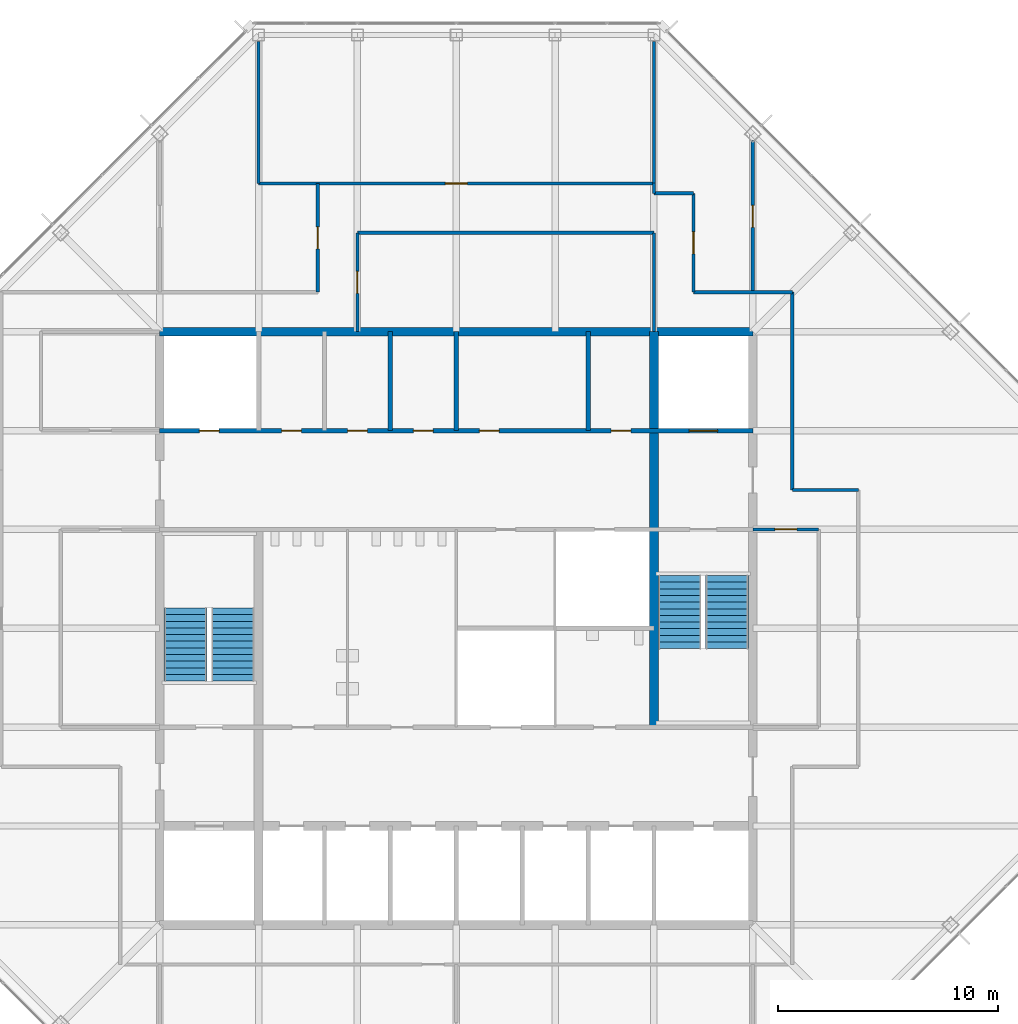
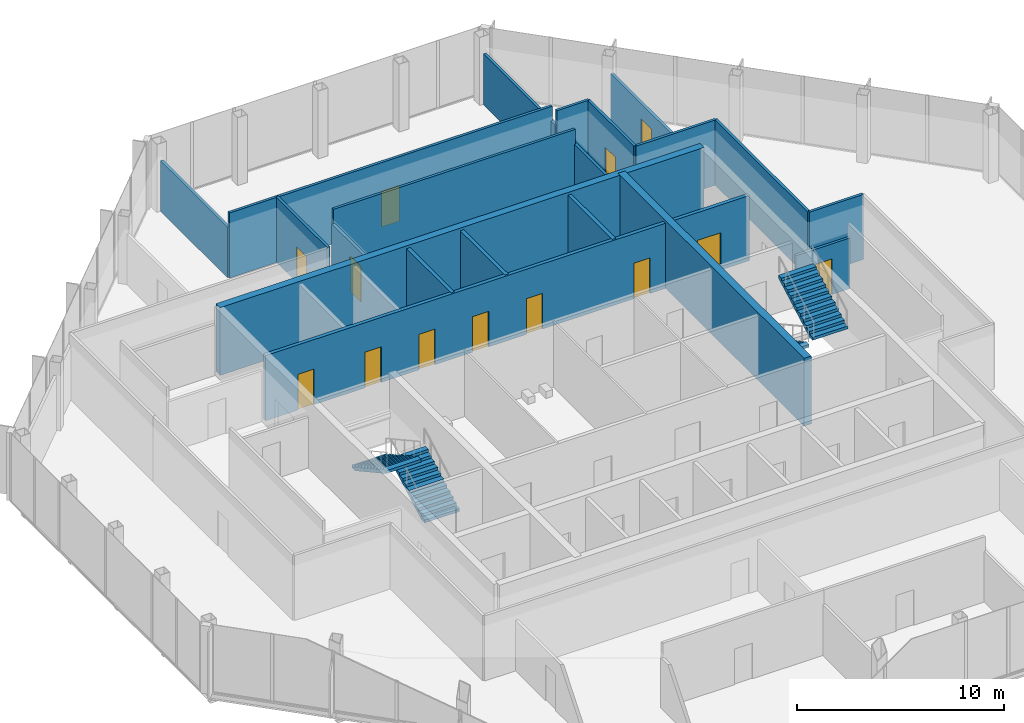
# One storey, part 11 of 13: 21 walls, 13 doors, 4 stair flights, 13 openings, 2 elements without a shape of their own.
"""IFC4 building model written with IfcOpenShell, lengths in metres."""

from ifc_helpers import new_model, si_unit, direction, frame, frame_2d, origin, place, context, subcontext, project, spatial, polyline, rectangle, outline, extrude, material, layer, layer_set, type_object, element, fill, aggregate, save


model = new_model("IFC4")

# Units and contexts
model_context = context("Model", 3, precision=1e-05, world=origin(), true_north=direction((0.0, 1.0)))
body_context = subcontext(model_context, "Body", "Model", "MODEL_VIEW")
ifc_project = project(units=[si_unit("LENGTHUNIT", "METRE"), si_unit("AREAUNIT", "SQUARE_METRE"), si_unit("VOLUMEUNIT", "CUBIC_METRE"), si_unit("PLANEANGLEUNIT", "RADIAN"), si_unit("MASSUNIT", "GRAM", prefix="KILO")], contexts=[model_context])

# Site, building, storey
site_placement = place(None, origin())
site = spatial("IfcSite", under=ifc_project, at=site_placement, CompositionType="ELEMENT")
building_placement = place(site_placement, origin())
building = spatial("IfcBuilding", under=site, at=building_placement, Name="Corais Broadcast Tower", CompositionType="ELEMENT")
storey_placement = place(building_placement, frame((0.0, 0.0, 306.60009765625)))
storey = spatial("IfcBuildingStorey", under=building, at=storey_placement, Name="L72", CompositionType="ELEMENT", Elevation=306.60009765625)

# Walls
ifc_material_1 = material(Name="Concrete C50/60", Category="concrete")
ifc_layer_1 = layer(ifc_material_1, 0.39990234375)
ifc_layer_set_1 = layer_set([ifc_layer_1], Name="Concrete C50/60")
wall_type_1 = type_object("IfcWallType", Name="Core wall 400", PredefinedType="SHEAR", material=ifc_layer_set_1)
wall_1_placement = place(storey_placement, frame((40.5, 40.5, 0.0), z_axis=(0.0, 0.0, 1.0), x_axis=(-1.0, 0.0, 0.0)))
element("IfcWall", 1, at=wall_1_placement, inside=storey, type_object=wall_type_1, Name="CR400 core wall N L72", PredefinedType="SHEAR", context=body_context, shape_type="SweptSolid", body=[
    extrude(rectangle(XDim=27.0, YDim=0.39990234375, at=frame_2d((13.5, 0.0))), origin(), (0.0, 0.0, 1.0), 4.0),
])
wall_2_placement = place(storey_placement, frame((36.0, 22.5, 0.0), z_axis=(0.0, 0.0, 1.0), x_axis=(0.0, 1.0, 0.0)))
element("IfcWall", 2, at=wall_2_placement, inside=storey, type_object=wall_type_1, Name="CR400 core wall X36B L72", PredefinedType="SHEAR", context=body_context, shape_type="SweptSolid", body=[
    extrude(rectangle(XDim=18.0, YDim=0.39990234375, at=frame_2d((9.0, 0.0))), origin(), (0.0, 0.0, 1.0), 4.0),
])

# Wall, openings, doors
ifc_material_2 = material(Name="Concrete blockwork class A, grouted, four-hour", Category="masonry")
ifc_layer_2 = layer(ifc_material_2, 0.199951171875)
ifc_layer_set_2 = layer_set([ifc_layer_2], Name="Concrete blockwork class A, grouted, four-hour")
wall_type_2 = type_object("IfcWallType", Name="Emergency lift shaft wall 200", PredefinedType="SOLIDWALL", material=ifc_layer_set_2)
wall_3_placement = place(storey_placement, frame((13.5, 36.0, 0.0), z_axis=(0.0, 0.0, 1.0), x_axis=(1.0, 0.0, 0.0)))
wall_3 = element("IfcWall", 3, at=wall_3_placement, inside=storey, type_object=wall_type_2, Name="LS3 core lobby wall Y36 L72", PredefinedType="SOLIDWALL", context=body_context, shape_type="SweptSolid", body=[
    extrude(rectangle(XDim=27.0, YDim=0.199951171875, at=frame_2d((13.5, 0.0))), origin(), (0.0, 0.0, 1.0), 3.83984375),
])
opening_1_placement = place(wall_3_placement, frame((1.800048828125, 0.0, 0.0)))
opening_1 = element("IfcOpeningElement", 4, at=opening_1_placement, cuts=wall_3, Name="Opening RD1", PredefinedType="OPENING", context=body_context, shape_type="SweptSolid", body=[
    extrude(rectangle(XDim=0.89990234375, YDim=2.10009765625, at=frame_2d((0.449951171875, 1.050048828125))), frame((0.0, 0.10986328125, 0.0), z_axis=(0.0, -1.0, 0.0), x_axis=(1.0, 0.0, 0.0)), (0.0, 0.0, 1.0), 0.219970703125),
])
opening_2_placement = place(wall_3_placement, frame((5.550048828125, 0.0, 0.0)))
opening_2 = element("IfcOpeningElement", 5, at=opening_2_placement, cuts=wall_3, Name="Opening RD1", PredefinedType="OPENING", context=body_context, shape_type="SweptSolid", body=[
    extrude(rectangle(XDim=0.89990234375, YDim=2.10009765625, at=frame_2d((0.449951171875, 1.050048828125))), frame((0.0, 0.10986328125, 0.0), z_axis=(0.0, -1.0, 0.0), x_axis=(1.0, 0.0, 0.0)), (0.0, 0.0, 1.0), 0.219970703125),
])
opening_3_placement = place(wall_3_placement, frame((8.550048828125, 0.0, 0.0)))
opening_3 = element("IfcOpeningElement", 6, at=opening_3_placement, cuts=wall_3, Name="Opening RD1", PredefinedType="OPENING", context=body_context, shape_type="SweptSolid", body=[
    extrude(rectangle(XDim=0.89990234375, YDim=2.10009765625, at=frame_2d((0.449951171875, 1.050048828125))), frame((0.0, 0.10986328125, 0.0), z_axis=(0.0, -1.0, 0.0), x_axis=(1.0, 0.0, 0.0)), (0.0, 0.0, 1.0), 0.219970703125),
])
opening_4_placement = place(wall_3_placement, frame((11.550048828125, 0.0, 0.0)))
opening_4 = element("IfcOpeningElement", 7, at=opening_4_placement, cuts=wall_3, Name="Opening RD1", PredefinedType="OPENING", context=body_context, shape_type="SweptSolid", body=[
    extrude(rectangle(XDim=0.89990234375, YDim=2.10009765625, at=frame_2d((0.449951171875, 1.050048828125))), frame((0.0, 0.10986328125, 0.0), z_axis=(0.0, -1.0, 0.0), x_axis=(1.0, 0.0, 0.0)), (0.0, 0.0, 1.0), 0.219970703125),
])
opening_5_placement = place(wall_3_placement, frame((14.550048828125, 0.0, 0.0)))
opening_5 = element("IfcOpeningElement", 8, at=opening_5_placement, cuts=wall_3, Name="Opening RD1", PredefinedType="OPENING", context=body_context, shape_type="SweptSolid", body=[
    extrude(rectangle(XDim=0.89990234375, YDim=2.10009765625, at=frame_2d((0.449951171875, 1.050048828125))), frame((0.0, 0.10986328125, 0.0), z_axis=(0.0, -1.0, 0.0), x_axis=(1.0, 0.0, 0.0)), (0.0, 0.0, 1.0), 0.219970703125),
])
opening_6_placement = place(wall_3_placement, frame((20.550048828125, 0.0, 0.0)))
opening_6 = element("IfcOpeningElement", 9, at=opening_6_placement, cuts=wall_3, Name="Opening RD1", PredefinedType="OPENING", context=body_context, shape_type="SweptSolid", body=[
    extrude(rectangle(XDim=0.89990234375, YDim=2.10009765625, at=frame_2d((0.449951171875, 1.050048828125))), frame((0.0, 0.10986328125, 0.0), z_axis=(0.0, -1.0, 0.0), x_axis=(1.0, 0.0, 0.0)), (0.0, 0.0, 1.0), 0.219970703125),
])
opening_7_placement = place(wall_3_placement, frame((24.10009765625, 0.0, 0.0)))
opening_7 = element("IfcOpeningElement", 10, at=opening_7_placement, cuts=wall_3, Name="Opening LD2", PredefinedType="OPENING", context=body_context, shape_type="SweptSolid", body=[
    extrude(rectangle(XDim=1.300048828125, YDim=2.199951171875, at=frame_2d((0.64990234375, 1.10009765625))), frame((0.0, 0.10986328125, 0.0), z_axis=(0.0, -1.0, 0.0), x_axis=(1.0, 0.0, 0.0)), (0.0, 0.0, 1.0), 0.219970703125),
])
ifc_material_3 = material(Name="Stainless steel lift door", Category="steel")
door_type_1 = type_object("IfcDoorType", Name="Lift landing door 1300x2200", OperationType="SLIDING_TO_LEFT", PredefinedType="DOOR", material=ifc_material_3)
door_1_placement = place(opening_7_placement, origin())
door_1 = element("IfcDoor", 11, at=door_1_placement, inside=storey, type_object=door_type_1, Name="LD2 FL2 landing door L72", OperationType="SLIDING_TO_LEFT", OverallHeight=2.199951171875, OverallWidth=1.300048828125, PredefinedType="DOOR", context=body_context, shape_type="SweptSolid", body=[
    extrude(rectangle(XDim=1.300048828125, YDim=2.199951171875, at=frame_2d((0.64990234375, 1.10009765625))), frame((0.0, 0.02490234375, 0.0), z_axis=(0.0, -1.0, 0.0), x_axis=(1.0, 0.0, 0.0)), (0.0, 0.0, 1.0), 0.050048828125),
])
fill(opening_7, door_1)
ifc_material_4 = material(Name="Steel fire door", Category="steel")
door_type_2 = type_object("IfcDoorType", Name="Riser door 900x2100", OperationType="SINGLE_SWING_LEFT", PredefinedType="DOOR", material=ifc_material_4)
door_2_placement = place(opening_1_placement, origin())
door_2 = element("IfcDoor", 12, at=door_2_placement, inside=storey, type_object=door_type_2, Name="RD1 riser door L72", OperationType="SINGLE_SWING_LEFT", OverallHeight=2.10009765625, OverallWidth=0.89990234375, PredefinedType="DOOR", context=body_context, shape_type="SweptSolid", body=[
    extrude(rectangle(XDim=0.89990234375, YDim=2.10009765625, at=frame_2d((0.449951171875, 1.050048828125))), frame((0.0, 0.02490234375, 0.0), z_axis=(0.0, -1.0, 0.0), x_axis=(1.0, 0.0, 0.0)), (0.0, 0.0, 1.0), 0.050048828125),
])
fill(opening_1, door_2)
door_3_placement = place(opening_2_placement, origin())
door_3 = element("IfcDoor", 13, at=door_3_placement, inside=storey, type_object=door_type_2, Name="RD1 media store door L72", OperationType="SINGLE_SWING_LEFT", OverallHeight=2.10009765625, OverallWidth=0.89990234375, PredefinedType="DOOR", context=body_context, shape_type="SweptSolid", body=[
    extrude(rectangle(XDim=0.89990234375, YDim=2.10009765625, at=frame_2d((0.449951171875, 1.050048828125))), frame((0.0, 0.02490234375, 0.0), z_axis=(0.0, -1.0, 0.0), x_axis=(1.0, 0.0, 0.0)), (0.0, 0.0, 1.0), 0.050048828125),
])
fill(opening_2, door_3)
door_4_placement = place(opening_3_placement, origin())
door_4 = element("IfcDoor", 14, at=door_4_placement, inside=storey, type_object=door_type_2, Name="RD1 tea point door L72", OperationType="SINGLE_SWING_LEFT", OverallHeight=2.10009765625, OverallWidth=0.89990234375, PredefinedType="DOOR", context=body_context, shape_type="SweptSolid", body=[
    extrude(rectangle(XDim=0.89990234375, YDim=2.10009765625, at=frame_2d((0.449951171875, 1.050048828125))), frame((0.0, 0.02490234375, 0.0), z_axis=(0.0, -1.0, 0.0), x_axis=(1.0, 0.0, 0.0)), (0.0, 0.0, 1.0), 0.050048828125),
])
fill(opening_3, door_4)
door_5_placement = place(opening_4_placement, origin())
door_5 = element("IfcDoor", 15, at=door_5_placement, inside=storey, type_object=door_type_2, Name="RD1 locker room door L72", OperationType="SINGLE_SWING_LEFT", OverallHeight=2.10009765625, OverallWidth=0.89990234375, PredefinedType="DOOR", context=body_context, shape_type="SweptSolid", body=[
    extrude(rectangle(XDim=0.89990234375, YDim=2.10009765625, at=frame_2d((0.449951171875, 1.050048828125))), frame((0.0, 0.02490234375, 0.0), z_axis=(0.0, -1.0, 0.0), x_axis=(1.0, 0.0, 0.0)), (0.0, 0.0, 1.0), 0.050048828125),
])
fill(opening_4, door_5)
door_6_placement = place(opening_5_placement, origin())
door_6 = element("IfcDoor", 16, at=door_6_placement, inside=storey, type_object=door_type_2, Name="RD1 wellness room door L72", OperationType="SINGLE_SWING_RIGHT", OverallHeight=2.10009765625, OverallWidth=0.89990234375, PredefinedType="DOOR", context=body_context, shape_type="SweptSolid", body=[
    extrude(rectangle(XDim=0.89990234375, YDim=2.10009765625, at=frame_2d((0.449951171875, 1.050048828125))), frame((0.0, 0.02490234375, 0.0), z_axis=(0.0, -1.0, 0.0), x_axis=(1.0, 0.0, 0.0)), (0.0, 0.0, 1.0), 0.050048828125),
])
fill(opening_5, door_6)
door_7_placement = place(opening_6_placement, origin())
door_7 = element("IfcDoor", 17, at=door_7_placement, inside=storey, type_object=door_type_2, Name="RD1 first aid room door L72", OperationType="SINGLE_SWING_RIGHT", OverallHeight=2.10009765625, OverallWidth=0.89990234375, PredefinedType="DOOR", context=body_context, shape_type="SweptSolid", body=[
    extrude(rectangle(XDim=0.89990234375, YDim=2.10009765625, at=frame_2d((0.449951171875, 1.050048828125))), frame((0.0, 0.02490234375, 0.0), z_axis=(0.0, -1.0, 0.0), x_axis=(1.0, 0.0, 0.0)), (0.0, 0.0, 1.0), 0.050048828125),
])
fill(opening_6, door_7)

# Wall
ifc_material_5 = material(Name="Gypsum board on steel studs", Category="steel")
ifc_layer_3 = layer(ifc_material_5, 0.14990234375)
ifc_layer_set_3 = layer_set([ifc_layer_3], Name="Gypsum board on steel studs")
wall_type_3 = type_object("IfcWallType", Name="Partition 150", PredefinedType="PARTITIONING", material=ifc_layer_set_3)
wall_4_placement = place(storey_placement, frame((42.300048828125, 33.300048828125, 0.0), z_axis=(0.0, 0.0, 1.0), x_axis=(0.0, 1.0, 0.0)))
element("IfcWall", 18, at=wall_4_placement, inside=storey, type_object=wall_type_3, Name="IW3 corridor wall L72", PredefinedType="PARTITIONING", context=body_context, shape_type="SweptSolid", body=[
    extrude(rectangle(XDim=9.0, YDim=0.14990234375, at=frame_2d((4.5, 0.0))), origin(), (0.0, 0.0, 1.0), 3.83984375),
])

# Wall, opening, door
wall_5_placement = place(storey_placement, frame((37.800048828125, 42.300048828125, 0.0), z_axis=(0.0, 0.0, 1.0), x_axis=(0.0, 1.0, 0.0)))
wall_5 = element("IfcWall", 19, at=wall_5_placement, inside=storey, type_object=wall_type_3, Name="IW3 corridor wall L72", PredefinedType="PARTITIONING", context=body_context, shape_type="SweptSolid", body=[
    extrude(rectangle(XDim=4.5, YDim=0.14990234375, at=frame_2d((2.25, 0.0))), origin(), (0.0, 0.0, 1.0), 3.83984375),
])
opening_8_placement = place(wall_5_placement, frame((1.75, 0.0, 0.0)))
opening_8 = element("IfcOpeningElement", 20, at=opening_8_placement, cuts=wall_5, Name="Opening D1", PredefinedType="OPENING", context=body_context, shape_type="SweptSolid", body=[
    extrude(rectangle(XDim=1.0, YDim=2.10009765625, at=frame_2d((0.5, 1.050048828125))), frame((0.0, 0.0849609375, 0.0), z_axis=(0.0, -1.0, 0.0), x_axis=(1.0, 0.0, 0.0)), (0.0, 0.0, 1.0), 0.169921875),
])
ifc_material_6 = material(Name="Timber door", Category="wood")
door_type_3 = type_object("IfcDoorType", Name="Single door 1000x2100", OperationType="SINGLE_SWING_LEFT", PredefinedType="DOOR", material=ifc_material_6)
door_8_placement = place(opening_8_placement, origin())
door_8 = element("IfcDoor", 21, at=door_8_placement, inside=storey, type_object=door_type_3, Name="D1 workplace door L72", OperationType="SINGLE_SWING_LEFT", OverallHeight=2.10009765625, OverallWidth=1.0, PredefinedType="DOOR", context=body_context, shape_type="SweptSolid", body=[
    extrude(rectangle(XDim=1.0, YDim=2.10009765625, at=frame_2d((0.5, 1.050048828125))), frame((0.0, 0.02490234375, 0.0), z_axis=(0.0, -1.0, 0.0), x_axis=(1.0, 0.0, 0.0)), (0.0, 0.0, 1.0), 0.050048828125),
])
fill(opening_8, door_8)

# Walls
wall_6_placement = place(storey_placement, frame((42.300048828125, 42.300048828125, 0.0), z_axis=(0.0, 0.0, 1.0), x_axis=(-1.0, 0.0, 0.0)))
element("IfcWall", 22, at=wall_6_placement, inside=storey, type_object=wall_type_3, Name="IW3 corridor wall L72", PredefinedType="PARTITIONING", context=body_context, shape_type="SweptSolid", body=[
    extrude(rectangle(XDim=4.5, YDim=0.14990234375, at=frame_2d((2.25, 0.0))), origin(), (0.0, 0.0, 1.0), 3.83984375),
])
wall_7_placement = place(storey_placement, frame((45.300048828125, 33.300048828125, 0.0), z_axis=(0.0, 0.0, 1.0), x_axis=(-1.0, 0.0, 0.0)))
element("IfcWall", 23, at=wall_7_placement, inside=storey, type_object=wall_type_3, Name="IW3 corridor wall L72", PredefinedType="PARTITIONING", context=body_context, shape_type="SweptSolid", body=[
    extrude(rectangle(XDim=3.0, YDim=0.14990234375, at=frame_2d((1.5, 0.0))), origin(), (0.0, 0.0, 1.0), 3.83984375),
])
wall_8_placement = place(storey_placement, frame((37.800048828125, 46.800048828125, 0.0), z_axis=(0.0, 0.0, 1.0), x_axis=(-1.0, 0.0, 0.0)))
element("IfcWall", 24, at=wall_8_placement, inside=storey, type_object=wall_type_3, Name="IW3 corridor wall L72", PredefinedType="PARTITIONING", context=body_context, shape_type="SweptSolid", body=[
    extrude(rectangle(XDim=1.800048828125, YDim=0.14990234375, at=frame_2d((0.89990234375, 0.0))), origin(), (0.0, 0.0, 1.0), 3.83984375),
])
wall_9_placement = place(storey_placement, frame((36.0, 46.800048828125, 0.0), z_axis=(0.0, 0.0, 1.0), x_axis=(0.0, 1.0, 0.0)))
element("IfcWall", 25, at=wall_9_placement, inside=storey, type_object=wall_type_3, Name="IW3 corridor wall L72", PredefinedType="PARTITIONING", context=body_context, shape_type="SweptSolid", body=[
    extrude(rectangle(XDim=0.4599609375, YDim=0.14990234375, at=frame_2d((0.22998046875, 0.0))), origin(), (0.0, 0.0, 1.0), 2.989013671875),
])

# Wall, opening, door
wall_10_placement = place(storey_placement, frame((20.699951171875, 47.25, 0.0), z_axis=(0.0, 0.0, 1.0), x_axis=(0.0, -1.0, 0.0)))
wall_10 = element("IfcWall", 26, at=wall_10_placement, inside=storey, type_object=wall_type_3, Name="IW3 corridor wall L72", PredefinedType="PARTITIONING", context=body_context, shape_type="SweptSolid", body=[
    extrude(rectangle(XDim=4.949951171875, YDim=0.14990234375, at=frame_2d((2.47509765625, 0.0))), origin(), (0.0, 0.0, 1.0), 3.83984375),
])
opening_9_placement = place(wall_10_placement, frame((1.97509765625, 0.0, 0.0)))
opening_9 = element("IfcOpeningElement", 27, at=opening_9_placement, cuts=wall_10, Name="Opening D1", PredefinedType="OPENING", context=body_context, shape_type="SweptSolid", body=[
    extrude(rectangle(XDim=1.0, YDim=2.10009765625, at=frame_2d((0.5, 1.050048828125))), frame((0.0, 0.0849609375, 0.0), z_axis=(0.0, -1.0, 0.0), x_axis=(1.0, 0.0, 0.0)), (0.0, 0.0, 1.0), 0.169921875),
])
door_9_placement = place(opening_9_placement, origin())
door_9 = element("IfcDoor", 28, at=door_9_placement, inside=storey, type_object=door_type_3, Name="D1 workplace door L72", OperationType="SINGLE_SWING_LEFT", OverallHeight=2.10009765625, OverallWidth=1.0, PredefinedType="DOOR", context=body_context, shape_type="SweptSolid", body=[
    extrude(rectangle(XDim=1.0, YDim=2.10009765625, at=frame_2d((0.5, 1.050048828125))), frame((0.0, 0.02490234375, 0.0), z_axis=(0.0, -1.0, 0.0), x_axis=(1.0, 0.0, 0.0)), (0.0, 0.0, 1.0), 0.050048828125),
])
fill(opening_9, door_9)

wall_11_placement = place(storey_placement, frame((43.5, 31.5, 0.0), z_axis=(0.0, 0.0, 1.0), x_axis=(-1.0, 0.0, 0.0)))
wall_11 = element("IfcWall", 29, at=wall_11_placement, inside=storey, type_object=wall_type_3, Name="IW3 partition L72", PredefinedType="PARTITIONING", context=body_context, shape_type="SweptSolid", body=[
    extrude(rectangle(XDim=3.0, YDim=0.14990234375, at=frame_2d((1.5, 0.0))), origin(), (0.0, 0.0, 1.0), 2.989013671875),
])
opening_10_placement = place(wall_11_placement, frame((1.0, 0.0, 0.0)))
opening_10 = element("IfcOpeningElement", 30, at=opening_10_placement, cuts=wall_11, Name="Opening D1", PredefinedType="OPENING", context=body_context, shape_type="SweptSolid", body=[
    extrude(rectangle(XDim=1.0, YDim=2.10009765625, at=frame_2d((0.5, 1.050048828125))), frame((0.0, 0.0849609375, 0.0), z_axis=(0.0, -1.0, 0.0), x_axis=(1.0, 0.0, 0.0)), (0.0, 0.0, 1.0), 0.169921875),
])
door_10_placement = place(opening_10_placement, origin())
door_10 = element("IfcDoor", 31, at=door_10_placement, inside=storey, type_object=door_type_3, Name="D1 Servery door", OperationType="SINGLE_SWING_LEFT", OverallHeight=2.10009765625, OverallWidth=1.0, PredefinedType="DOOR", context=body_context, shape_type="SweptSolid", body=[
    extrude(rectangle(XDim=1.0, YDim=2.10009765625, at=frame_2d((0.5, 1.050048828125))), frame((0.0, 0.02490234375, 0.0), z_axis=(0.0, -1.0, 0.0), x_axis=(1.0, 0.0, 0.0)), (0.0, 0.0, 1.0), 0.050048828125),
])
fill(opening_10, door_10)

wall_12_placement = place(storey_placement, frame((18.0, 47.25, 0.0), z_axis=(0.0, 0.0, 1.0), x_axis=(1.0, 0.0, 0.0)))
wall_12 = element("IfcWall", 32, at=wall_12_placement, inside=storey, type_object=wall_type_3, Name="IW3 partition L72", PredefinedType="PARTITIONING", context=body_context, shape_type="SweptSolid", body=[
    extrude(rectangle(XDim=18.0, YDim=0.14990234375, at=frame_2d((9.0, 0.0))), origin(), (0.0, 0.0, 1.0), 3.83984375),
])
opening_11_placement = place(wall_12_placement, frame((8.5, 0.0, 0.0)))
opening_11 = element("IfcOpeningElement", 33, at=opening_11_placement, cuts=wall_12, Name="Opening D1", PredefinedType="OPENING", context=body_context, shape_type="SweptSolid", body=[
    extrude(rectangle(XDim=1.0, YDim=2.10009765625, at=frame_2d((0.5, 1.050048828125))), frame((0.0, 0.0849609375, 0.0), z_axis=(0.0, -1.0, 0.0), x_axis=(1.0, 0.0, 0.0)), (0.0, 0.0, 1.0), 0.169921875),
])
door_11_placement = place(opening_11_placement, origin())
door_11 = element("IfcDoor", 34, at=door_11_placement, inside=storey, type_object=door_type_3, Name="D1 Guest lounge door", OperationType="SINGLE_SWING_LEFT", OverallHeight=2.10009765625, OverallWidth=1.0, PredefinedType="DOOR", context=body_context, shape_type="SweptSolid", body=[
    extrude(rectangle(XDim=1.0, YDim=2.10009765625, at=frame_2d((0.5, 1.050048828125))), frame((0.0, 0.02490234375, 0.0), z_axis=(0.0, -1.0, 0.0), x_axis=(1.0, 0.0, 0.0)), (0.0, 0.0, 1.0), 0.050048828125),
])
fill(opening_11, door_11)

# Walls
for number, where, z_axis, x_axis, name in (
    (35, (36.0, 47.25, 0.0), (0.0, 0.0, 1.0), (0.0, 1.0, 0.0), "IW3 partition L72"),
    (36, (18.0, 53.715087890625, 0.0), (0.0, 0.0, 1.0), (0.0, -1.0, 0.0), "IW3 partition L72"),
):
    element("IfcWall", number, at=place(storey_placement, frame(where, z_axis=z_axis, x_axis=x_axis)), inside=storey, type_object=wall_type_3, Name=name, PredefinedType="PARTITIONING", context=body_context, shape_type="SweptSolid", body=[
        extrude(rectangle(XDim=6.465087890625, YDim=0.14990234375, at=frame_2d((3.232421875, 0.0))), origin(), (0.0, 0.0, 1.0), 2.989013671875),
    ])
wall_13_placement = place(storey_placement, frame((36.0, 40.5, 0.0), z_axis=(0.0, 0.0, 1.0), x_axis=(0.0, 1.0, 0.0)))
element("IfcWall", 37, at=wall_13_placement, inside=storey, type_object=wall_type_3, Name="IW3 partition L72", PredefinedType="PARTITIONING", context=body_context, shape_type="SweptSolid", body=[
    extrude(rectangle(XDim=4.5, YDim=0.14990234375, at=frame_2d((2.25, 0.0))), origin(), (0.0, 0.0, 1.0), 2.989013671875),
])
wall_14_placement = place(storey_placement, frame((36.0, 45.0, 0.0), z_axis=(0.0, 0.0, 1.0), x_axis=(-1.0, 0.0, 0.0)))
element("IfcWall", 38, at=wall_14_placement, inside=storey, type_object=wall_type_3, Name="IW3 partition L72", PredefinedType="PARTITIONING", context=body_context, shape_type="SweptSolid", body=[
    extrude(rectangle(XDim=13.5, YDim=0.14990234375, at=frame_2d((6.75, 0.0))), origin(), (0.0, 0.0, 1.0), 3.83984375),
])

# Wall, opening, door
wall_15_placement = place(storey_placement, frame((22.5, 45.0, 0.0), z_axis=(0.0, 0.0, 1.0), x_axis=(0.0, -1.0, 0.0)))
wall_15 = element("IfcWall", 39, at=wall_15_placement, inside=storey, type_object=wall_type_3, Name="IW3 partition L72", PredefinedType="PARTITIONING", context=body_context, shape_type="SweptSolid", body=[
    extrude(rectangle(XDim=4.5, YDim=0.14990234375, at=frame_2d((2.25, 0.0))), origin(), (0.0, 0.0, 1.0), 2.989013671875),
])
opening_12_placement = place(wall_15_placement, frame((1.75, 0.0, 0.0)))
opening_12 = element("IfcOpeningElement", 40, at=opening_12_placement, cuts=wall_15, Name="Opening D1", PredefinedType="OPENING", context=body_context, shape_type="SweptSolid", body=[
    extrude(rectangle(XDim=1.0, YDim=2.10009765625, at=frame_2d((0.5, 1.050048828125))), frame((0.0, 0.0849609375, 0.0), z_axis=(0.0, -1.0, 0.0), x_axis=(1.0, 0.0, 0.0)), (0.0, 0.0, 1.0), 0.169921875),
])
door_12_placement = place(opening_12_placement, origin())
door_12 = element("IfcDoor", 41, at=door_12_placement, inside=storey, type_object=door_type_3, Name="D1 Meeting room door", OperationType="SINGLE_SWING_LEFT", OverallHeight=2.10009765625, OverallWidth=1.0, PredefinedType="DOOR", context=body_context, shape_type="SweptSolid", body=[
    extrude(rectangle(XDim=1.0, YDim=2.10009765625, at=frame_2d((0.5, 1.050048828125))), frame((0.0, 0.02490234375, 0.0), z_axis=(0.0, -1.0, 0.0), x_axis=(1.0, 0.0, 0.0)), (0.0, 0.0, 1.0), 0.050048828125),
])
fill(opening_12, door_12)

wall_16_placement = place(storey_placement, frame((40.5, 49.205078125, 0.0), z_axis=(0.0, 0.0, 1.0), x_axis=(0.0, -1.0, 0.0)))
wall_16 = element("IfcWall", 42, at=wall_16_placement, inside=storey, type_object=wall_type_3, Name="IW3 partition L72", PredefinedType="PARTITIONING", context=body_context, shape_type="SweptSolid", body=[
    extrude(rectangle(XDim=6.905029296875, YDim=0.14990234375, at=frame_2d((3.45263671875, 0.0))), origin(), (0.0, 0.0, 1.0), 2.989013671875),
])
opening_13_placement = place(wall_16_placement, frame((2.952392578125, 0.0, 0.0)))
opening_13 = element("IfcOpeningElement", 43, at=opening_13_placement, cuts=wall_16, Name="Opening D1", PredefinedType="OPENING", context=body_context, shape_type="SweptSolid", body=[
    extrude(rectangle(XDim=1.0, YDim=2.10009765625, at=frame_2d((0.5, 1.050048828125))), frame((0.0, 0.0849609375, 0.0), z_axis=(0.0, -1.0, 0.0), x_axis=(1.0, 0.0, 0.0)), (0.0, 0.0, 1.0), 0.169921875),
])
door_13_placement = place(opening_13_placement, origin())
door_13 = element("IfcDoor", 44, at=door_13_placement, inside=storey, type_object=door_type_3, Name="D1 team room door L72", OperationType="SINGLE_SWING_LEFT", OverallHeight=2.10009765625, OverallWidth=1.0, PredefinedType="DOOR", context=body_context, shape_type="SweptSolid", body=[
    extrude(rectangle(XDim=1.0, YDim=2.10009765625, at=frame_2d((0.5, 1.050048828125))), frame((0.0, 0.02490234375, 0.0), z_axis=(0.0, -1.0, 0.0), x_axis=(1.0, 0.0, 0.0)), (0.0, 0.0, 1.0), 0.050048828125),
])
fill(opening_13, door_13)

# Walls
ifc_material_7 = material(Name="Concrete blockwork class A, grouted, two-hour", Category="masonry")
ifc_layer_4 = layer(ifc_material_7, 0.199951171875)
ifc_layer_set_4 = layer_set([ifc_layer_4], Name="Concrete blockwork class A, grouted, two-hour")
wall_type_4 = type_object("IfcWallType", Name="Shaft wall 200", PredefinedType="PARTITIONING", material=ifc_layer_set_4)
for number, where, z_axis, x_axis, name in (
    (45, (24.0, 36.0, 0.0), (0.0, 0.0, 1.0), (0.0, 1.0, 0.0), "IW1 shaft wall L72"),
    (46, (27.0, 36.0, 0.0), (0.0, 0.0, 1.0), (0.0, 1.0, 0.0), "IW1 shaft wall L72"),
    (47, (33.0, 36.0, 0.0), (0.0, 0.0, 1.0), (0.0, 1.0, 0.0), "IW1 shaft wall L72"),
):
    element("IfcWall", number, at=place(storey_placement, frame(where, z_axis=z_axis, x_axis=x_axis)), inside=storey, type_object=wall_type_4, Name=name, PredefinedType="PARTITIONING", context=body_context, shape_type="SweptSolid", body=[
        extrude(rectangle(XDim=4.5, YDim=0.199951171875, at=frame_2d((2.25, 0.0))), origin(), (0.0, 0.0, 1.0), 3.83984375),
    ])

# Stair, stair flights
ifc_material_8 = material(Name="Concrete C30/37", Category="concrete")
stair_type = type_object("IfcStairType", Name="Half-turn stair 4000", PredefinedType="HALF_TURN_STAIR", material=ifc_material_8)
stair_1_placement = place(storey_placement, origin())
stair_1 = element("IfcStair", 48, at=stair_1_placement, inside=storey, type_object=stair_type, Name="Stair A L72", PredefinedType="HALF_TURN_STAIR")
ifc_material_9 = material(Name="Concrete C30/37", Category="concrete")
stair_flight_type = type_object("IfcStairFlightType", Name="Stair flight 4000", PredefinedType="STRAIGHT", material=ifc_material_9)
stair_flight_1_placement = place(storey_placement, frame((16.824951171875, 24.60009765625, 0.0), z_axis=(0.0, 0.0, 1.0), x_axis=(0.0, 1.0, 0.0)))
stair_flight_1 = element("IfcStairFlight", 49, at=stair_flight_1_placement, type_object=stair_flight_type, Name="STA flight 1", NumberOfRisers=12, NumberOfTreads=11, PredefinedType="STRAIGHT", RiserHeight=0.166666667, TreadLength=0.302, context=body_context, shape_type="SweptSolid", body=[
    extrude(outline(polyline([(0.0, 0.0), (0.0, 0.166748046875), (0.302001953125, 0.166748046875), (0.302001953125, 0.333251953125), (0.60400390625, 0.333251953125), (0.60400390625, 0.5), (0.906005859375, 0.5), (0.906005859375, 0.666748046875), (1.2080078125, 0.666748046875), (1.2080078125, 0.833251953125), (1.510009765625, 0.833251953125), (1.510009765625, 1.0), (1.81201171875, 1.0), (1.81201171875, 1.166748046875), (2.114013671875, 1.166748046875), (2.114013671875, 1.333251953125), (2.416015625, 1.333251953125), (2.416015625, 1.5), (2.718017578125, 1.5), (2.718017578125, 1.666748046875), (3.02001953125, 1.666748046875), (3.02001953125, 1.833251953125), (3.322021484375, 1.833251953125), (3.322021484375, 2.0), (3.322021484375, 1.662109375), (0.310302734375, 0.0), (0.0, 0.0)])), frame((0.0, 0.97509765625, 0.0), z_axis=(0.0, -1.0, 0.0), x_axis=(1.0, 0.0, 0.0)), (0.0, 0.0, 1.0), 1.949951171875),
])
stair_flight_2_placement = place(storey_placement, frame((14.675048828125, 27.922119140625, 2.0), z_axis=(0.0, 0.0, 1.0), x_axis=(0.0, -1.0, 0.0)))
stair_flight_2 = element("IfcStairFlight", 50, at=stair_flight_2_placement, type_object=stair_flight_type, Name="STA flight 2", NumberOfRisers=12, NumberOfTreads=11, PredefinedType="STRAIGHT", RiserHeight=0.166666667, TreadLength=0.302, context=body_context, shape_type="SweptSolid", body=[
    extrude(outline(polyline([(0.0, 0.0), (0.0, 0.166748046875), (0.302001953125, 0.166748046875), (0.302001953125, 0.333251953125), (0.60400390625, 0.333251953125), (0.60400390625, 0.5), (0.906005859375, 0.5), (0.906005859375, 0.666748046875), (1.2080078125, 0.666748046875), (1.2080078125, 0.833251953125), (1.510009765625, 0.833251953125), (1.510009765625, 1.0), (1.81201171875, 1.0), (1.81201171875, 1.166748046875), (2.114013671875, 1.166748046875), (2.114013671875, 1.333251953125), (2.416015625, 1.333251953125), (2.416015625, 1.5), (2.718017578125, 1.5), (2.718017578125, 1.666748046875), (3.02001953125, 1.666748046875), (3.02001953125, 1.833251953125), (3.322021484375, 1.833251953125), (3.322021484375, 2.0), (3.322021484375, 1.662109375), (0.310302734375, 0.0), (0.0, 0.0)])), frame((0.0, 0.97509765625, 0.0), z_axis=(0.0, -1.0, 0.0), x_axis=(1.0, 0.0, 0.0)), (0.0, 0.0, 1.0), 1.949951171875),
])
aggregate(stair_1, [stair_flight_1, stair_flight_2])

stair_2_placement = place(storey_placement, origin())
stair_2 = element("IfcStair", 51, at=stair_2_placement, inside=storey, type_object=stair_type, Name="Stair B L72", PredefinedType="HALF_TURN_STAIR")
stair_flight_3_placement = place(storey_placement, frame((37.175048828125, 29.39990234375, 0.0), z_axis=(0.0, 0.0, 1.0), x_axis=(0.0, -1.0, 0.0)))
stair_flight_3 = element("IfcStairFlight", 52, at=stair_flight_3_placement, type_object=stair_flight_type, Name="STB flight 1", NumberOfRisers=12, NumberOfTreads=11, PredefinedType="STRAIGHT", RiserHeight=0.166666667, TreadLength=0.302, context=body_context, shape_type="SweptSolid", body=[
    extrude(outline(polyline([(0.0, 0.0), (0.0, 0.166748046875), (0.302001953125, 0.166748046875), (0.302001953125, 0.333251953125), (0.60400390625, 0.333251953125), (0.60400390625, 0.5), (0.906005859375, 0.5), (0.906005859375, 0.666748046875), (1.2080078125, 0.666748046875), (1.2080078125, 0.833251953125), (1.510009765625, 0.833251953125), (1.510009765625, 1.0), (1.81201171875, 1.0), (1.81201171875, 1.166748046875), (2.114013671875, 1.166748046875), (2.114013671875, 1.333251953125), (2.416015625, 1.333251953125), (2.416015625, 1.5), (2.718017578125, 1.5), (2.718017578125, 1.666748046875), (3.02001953125, 1.666748046875), (3.02001953125, 1.833251953125), (3.322021484375, 1.833251953125), (3.322021484375, 2.0), (3.322021484375, 1.662109375), (0.310302734375, 0.0), (0.0, 0.0)])), frame((0.0, 0.97509765625, 0.0), z_axis=(0.0, -1.0, 0.0), x_axis=(1.0, 0.0, 0.0)), (0.0, 0.0, 1.0), 1.949951171875),
])
stair_flight_4_placement = place(storey_placement, frame((39.324951171875, 26.077880859375, 2.0), z_axis=(0.0, 0.0, 1.0), x_axis=(0.0, 1.0, 0.0)))
stair_flight_4 = element("IfcStairFlight", 53, at=stair_flight_4_placement, type_object=stair_flight_type, Name="STB flight 2", NumberOfRisers=12, NumberOfTreads=11, PredefinedType="STRAIGHT", RiserHeight=0.166666667, TreadLength=0.302, context=body_context, shape_type="SweptSolid", body=[
    extrude(outline(polyline([(0.0, 0.0), (0.0, 0.166748046875), (0.302001953125, 0.166748046875), (0.302001953125, 0.333251953125), (0.60400390625, 0.333251953125), (0.60400390625, 0.5), (0.906005859375, 0.5), (0.906005859375, 0.666748046875), (1.2080078125, 0.666748046875), (1.2080078125, 0.833251953125), (1.510009765625, 0.833251953125), (1.510009765625, 1.0), (1.81201171875, 1.0), (1.81201171875, 1.166748046875), (2.114013671875, 1.166748046875), (2.114013671875, 1.333251953125), (2.416015625, 1.333251953125), (2.416015625, 1.5), (2.718017578125, 1.5), (2.718017578125, 1.666748046875), (3.02001953125, 1.666748046875), (3.02001953125, 1.833251953125), (3.322021484375, 1.833251953125), (3.322021484375, 2.0), (3.322021484375, 1.662109375), (0.310302734375, 0.0), (0.0, 0.0)])), frame((0.0, 0.97509765625, 0.0), z_axis=(0.0, -1.0, 0.0), x_axis=(1.0, 0.0, 0.0)), (0.0, 0.0, 1.0), 1.949951171875),
])
aggregate(stair_2, [stair_flight_3, stair_flight_4])

save(model, "model.ifc")
